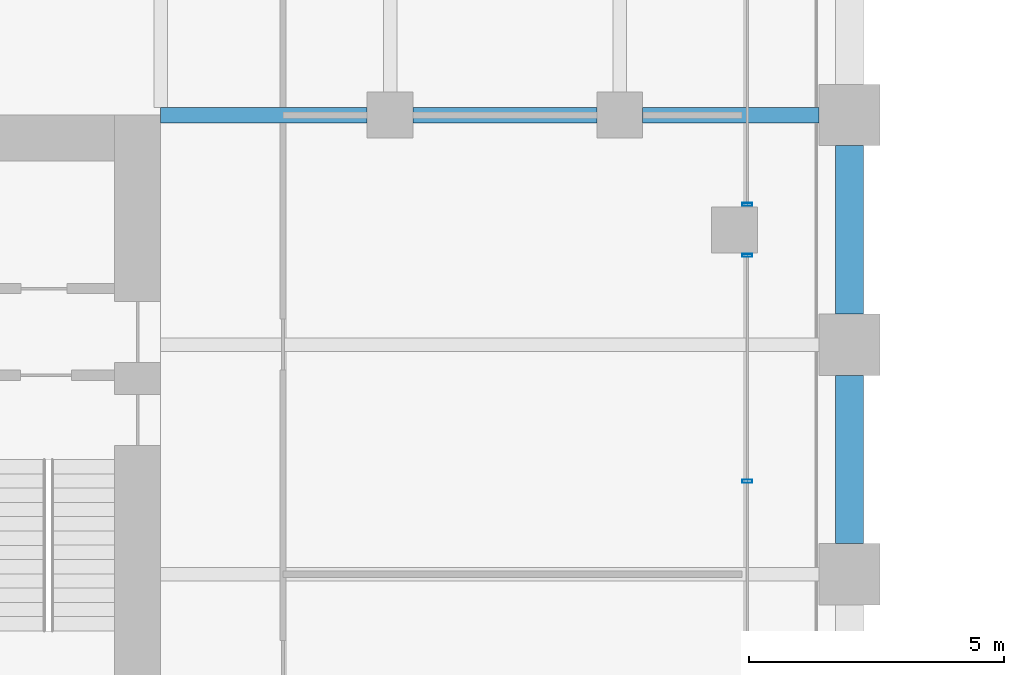
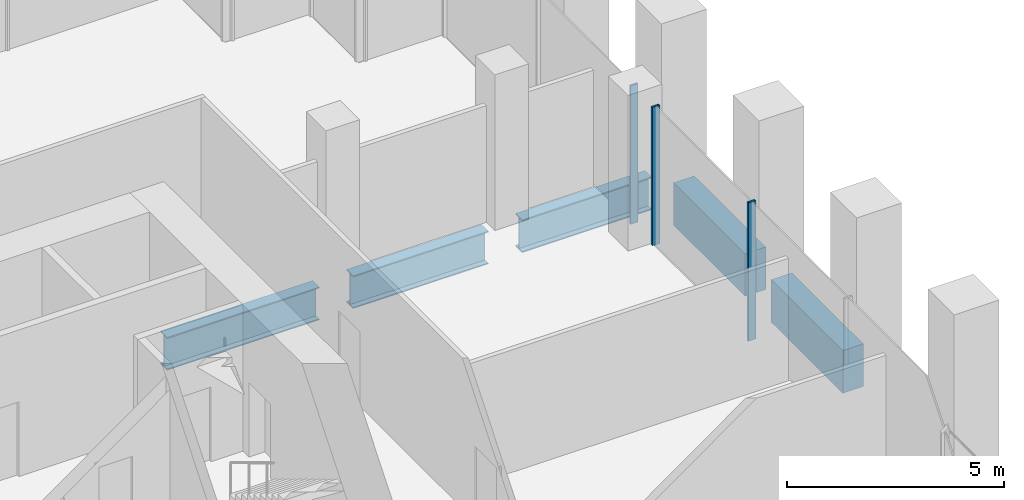
# One storey, part 12 of 36: 5 beams, 3 members, 2 elements without a shape of their own.
"""IFC4 building model written with IfcOpenShell, lengths in metres."""

from ifc_helpers import new_model, si_unit, direction, frame, origin, origin_2d, place, context, subcontext, project, spatial, rectangle, hollow_rectangle, i_section, extrude, material, material_profile, profile_set, type_object, element, aggregate, save


model = new_model("IFC4")

# Units and contexts
model_context = context("Model", 3, precision=1e-05, world=origin(), true_north=direction((0.0, 1.0)))
body_context = subcontext(model_context, "Body", "Model", "MODEL_VIEW")
ifc_project = project(units=[si_unit("LENGTHUNIT", "METRE"), si_unit("AREAUNIT", "SQUARE_METRE"), si_unit("VOLUMEUNIT", "CUBIC_METRE"), si_unit("PLANEANGLEUNIT", "RADIAN"), si_unit("MASSUNIT", "GRAM", prefix="KILO")], contexts=[model_context])

# Site, building, storey
site_placement = place(None, origin())
site = spatial("IfcSite", under=ifc_project, at=site_placement, CompositionType="ELEMENT")
building_placement = place(site_placement, origin())
building = spatial("IfcBuilding", under=site, at=building_placement, Name="Altepetl Exchange Towers", CompositionType="ELEMENT")
storey_placement = place(building_placement, frame((0.0, 0.0, 38.60009765625)))
storey = spatial("IfcBuildingStorey", under=building, at=storey_placement, Name="L08", CompositionType="ELEMENT", Elevation=38.60009765625)

# Beams
ifc_material_1 = material(Name="Steel S355", Category="steel")
ifc_material_profile_1 = material_profile(ifc_material_1, i_section(OverallWidth=0.306884765625, OverallDepth=0.923095703125, WebThickness=0.018310546875, FlangeThickness=0.030029296875, at=origin_2d()), Name="W36X182")
ifc_profile_set_1 = profile_set([ifc_material_profile_1], Name="Steel S355")
beam_type_1 = type_object("IfcBeamType", Name="Girder W36X182", PredefinedType="BEAM", material=ifc_profile_set_1)
beam_1_placement = place(storey_placement, frame((58.5, 58.5, -0.63671875), z_axis=(1.0, 0.0, 0.0), x_axis=(0.0, 1.0, 0.0)))
element("IfcBeam", 1, at=beam_1_placement, inside=storey, type_object=beam_type_1, Name="gd:A:L08:000", PredefinedType="BEAM", context=body_context, shape_type="SweptSolid", body=[
    extrude(i_section(OverallWidth=0.306884765625, OverallDepth=0.923095703125, WebThickness=0.018310546875, FlangeThickness=0.030029296875, at=origin_2d()), origin(), (0.0, 0.0, 1.0), 4.050048828125),
])
beam_2_placement = place(storey_placement, frame((63.449951171875, 58.5, -0.63671875), z_axis=(1.0, 0.0, 0.0), x_axis=(0.0, 1.0, 0.0)))
element("IfcBeam", 2, at=beam_2_placement, inside=storey, type_object=beam_type_1, Name="gd:A:L08:001", PredefinedType="BEAM", context=body_context, shape_type="SweptSolid", body=[
    extrude(i_section(OverallWidth=0.306884765625, OverallDepth=0.923095703125, WebThickness=0.018310546875, FlangeThickness=0.030029296875, at=origin_2d()), origin(), (0.0, 0.0, 1.0), 3.60009765625),
])
beam_3_placement = place(storey_placement, frame((67.949951171875, 58.5, -0.63671875), z_axis=(1.0, 0.0, 0.0), x_axis=(0.0, 1.0, 0.0)))
element("IfcBeam", 3, at=beam_3_placement, inside=storey, type_object=beam_type_1, Name="gd:A:L08:002", PredefinedType="BEAM", context=body_context, shape_type="SweptSolid", body=[
    extrude(i_section(OverallWidth=0.306884765625, OverallDepth=0.923095703125, WebThickness=0.018310546875, FlangeThickness=0.030029296875, at=origin_2d()), origin(), (0.0, 0.0, 1.0), 3.449951171875),
])

# Curtain wall, members
ifc_material_2 = material(Name="Aluminium 6063-T6 glazing", Category="aluminium")
curtain_wall_type = type_object("IfcCurtainWallType", Name="Trading floor glazing system", PredefinedType="NOTDEFINED", material=ifc_material_2)
curtain_wall_1_placement = place(storey_placement, origin())
curtain_wall_1 = element("IfcCurtainWall", 4, at=curtain_wall_1_placement, inside=storey, type_object=curtain_wall_type, Name="CW2 run", PredefinedType="NOTDEFINED")
ifc_material_3 = material(Name="Aluminium 6063-T6", Category="aluminium")
ifc_material_profile_2 = material_profile(ifc_material_3, hollow_rectangle(XDim=0.06005859375, YDim=0.199951171875, WallThickness=0.0029296875, at=origin_2d()), Name="Mullion 60x200 aluminium")
ifc_profile_set_2 = profile_set([ifc_material_profile_2], Name="Aluminium 6063-T6")
member_type = type_object("IfcMemberType", Name="Mullion 60x200 aluminium", PredefinedType="MULLION", material=ifc_profile_set_2)
member_1_placement = place(storey_placement, frame((70.0, 51.323974609375, 0.0), z_axis=(0.0, 0.0, 1.0), x_axis=(0.0, 1.0, 0.0)))
member_1 = element("IfcMember", 5, at=member_1_placement, type_object=member_type, Name="MU2 mullion", PredefinedType="MULLION", context=body_context, shape_type="SweptSolid", body=[
    extrude(hollow_rectangle(XDim=0.06005859375, YDim=0.199951171875, WallThickness=0.0029296875, at=origin_2d()), origin(), (0.0, 0.0, 1.0), 3.89990234375),
])
member_2_placement = place(storey_placement, frame((70.0, 55.75, 0.0), z_axis=(0.0, 0.0, 1.0), x_axis=(0.0, 1.0, 0.0)))
member_2 = element("IfcMember", 6, at=member_2_placement, type_object=member_type, Name="MU2 mullion", PredefinedType="MULLION", context=body_context, shape_type="SweptSolid", body=[
    extrude(hollow_rectangle(XDim=0.06005859375, YDim=0.199951171875, WallThickness=0.0029296875, at=origin_2d()), origin(), (0.0, 0.0, 1.0), 3.89990234375),
])
aggregate(curtain_wall_1, [member_1, member_2])

# Curtain wall, member
curtain_wall_2_placement = place(storey_placement, origin())
curtain_wall_2 = element("IfcCurtainWall", 7, at=curtain_wall_2_placement, inside=storey, type_object=curtain_wall_type, Name="CW2 run", PredefinedType="NOTDEFINED")
member_3_placement = place(storey_placement, frame((70.0, 56.75, 0.0), z_axis=(0.0, 0.0, 1.0), x_axis=(0.0, 1.0, 0.0)))
member_3 = element("IfcMember", 8, at=member_3_placement, type_object=member_type, Name="MU2 mullion", PredefinedType="MULLION", context=body_context, shape_type="SweptSolid", body=[
    extrude(hollow_rectangle(XDim=0.06005859375, YDim=0.199951171875, WallThickness=0.0029296875, at=origin_2d()), origin(), (0.0, 0.0, 1.0), 3.89990234375),
])
aggregate(curtain_wall_2, [member_3])

# Beams
ifc_material_4 = material(Name="Concrete C50/60 precast with cantera amarilla facing", Category="concrete")
ifc_material_profile_3 = material_profile(ifc_material_4, rectangle(XDim=0.550048828125, YDim=1.199951171875, at=origin_2d()), Name="550 x 1200")
ifc_profile_set_3 = profile_set([ifc_material_profile_3], Name="Concrete C50/60 precast with cantera amarilla facing")
beam_type_2 = type_object("IfcBeamType", Name="Spandrel beam 550x1200 cantera amarilla", PredefinedType="SPANDREL", material=ifc_profile_set_3)
for number, where, z_axis, x_axis, name in (
    (9, (72.0, 50.10009765625, -0.775146484375), (0.0, 1.0, 0.0), (-1.0, 0.0, 0.0), "sp:A:L08:016"),
    (10, (72.0, 54.60009765625, -0.775146484375), (0.0, 1.0, 0.0), (-1.0, 0.0, 0.0), "sp:A:L08:017"),
):
    element("IfcBeam", number, at=place(storey_placement, frame(where, z_axis=z_axis, x_axis=x_axis)), inside=storey, type_object=beam_type_2, Name=name, PredefinedType="SPANDREL", context=body_context, shape_type="SweptSolid", body=[
        extrude(rectangle(XDim=0.550048828125, YDim=1.199951171875, at=origin_2d()), origin(), (0.0, 0.0, 1.0), 3.2998046875),
    ])

save(model, "model.ifc")
